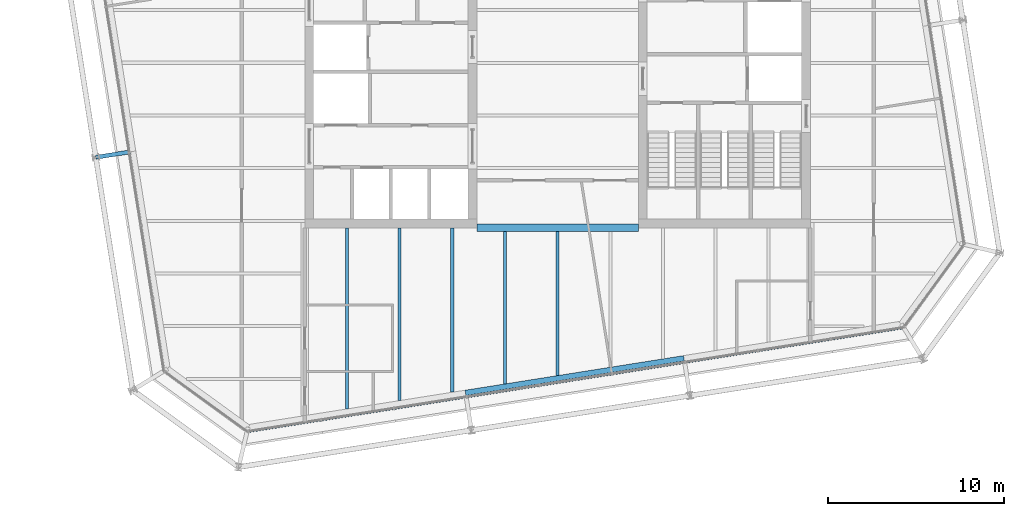
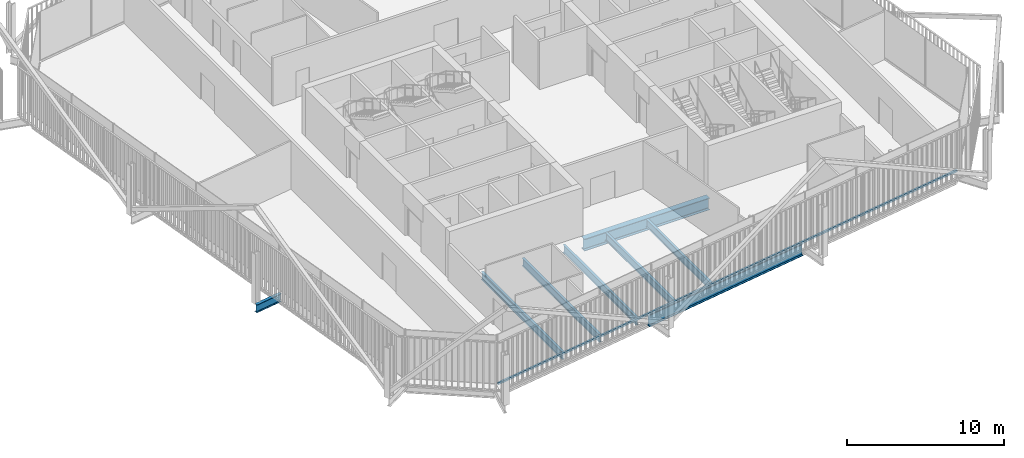
# One storey, part 4 of 21: 8 beams, 1 member, 1 element without a shape of its own.
"""IFC4 building model written with IfcOpenShell, lengths in metres."""

from ifc_helpers import new_model, si_unit, direction, frame, origin, origin_2d, place, context, subcontext, project, spatial, rectangle, i_section, extrude, material, layer, layer_set, material_profile, profile_set, type_object, element, aggregate, save


model = new_model("IFC4")

# Units and contexts
model_context = context("Model", 3, precision=1e-05, world=origin(), true_north=direction((0.0, 1.0)))
body_context = subcontext(model_context, "Body", "Model", "MODEL_VIEW")
ifc_project = project(units=[si_unit("LENGTHUNIT", "METRE"), si_unit("AREAUNIT", "SQUARE_METRE"), si_unit("VOLUMEUNIT", "CUBIC_METRE"), si_unit("PLANEANGLEUNIT", "RADIAN"), si_unit("MASSUNIT", "GRAM", prefix="KILO")], contexts=[model_context])

# Site, building, storey
site_placement = place(None, origin())
site = spatial("IfcSite", under=ifc_project, at=site_placement, CompositionType="ELEMENT")
building_placement = place(site_placement, origin())
building = spatial("IfcBuilding", under=site, at=building_placement, Name="Millrace Tower", CompositionType="ELEMENT")
storey_placement = place(building_placement, frame((0.0, 0.0, 220.300048828125)))
storey = spatial("IfcBuildingStorey", under=building, at=storey_placement, Name="L50", CompositionType="ELEMENT", Elevation=220.300048828125)

# Curtain wall, member
ifc_material_1 = material(Name="Aluminium and glass", Category="aluminium")
ifc_layer = layer(ifc_material_1, 0.14990234375)
ifc_layer_set = layer_set([ifc_layer], Name="Aluminium and glass")
curtain_wall_type = type_object("IfcCurtainWallType", Name="CW-1 office vision curtain wall", PredefinedType="NOTDEFINED", material=ifc_layer_set)
curtain_wall_placement = place(storey_placement, origin())
curtain_wall = element("IfcCurtainWall", 1, at=curtain_wall_placement, inside=storey, type_object=curtain_wall_type, Name="Curtain wall D-F02 L50", PredefinedType="NOTDEFINED")
ifc_material_2 = material(Name="Aluminium", Category="aluminium")
ifc_material_profile_1 = material_profile(ifc_material_2, rectangle(XDim=0.14990234375, YDim=0.139892578125, at=origin_2d()))
ifc_profile_set_1 = profile_set([ifc_material_profile_1], Name="Aluminium")
member_type = type_object("IfcMemberType", Name="CW-1 office vision curtain wall transom", PredefinedType="USERDEFINED", material=ifc_profile_set_1)
member_placement = place(storey_placement, frame((-17.558837890625, -20.98193359375, 0.070068359375), z_axis=(0.987687829698, 0.156437690685, 0.0), x_axis=(-0.156437690685, 0.987687829698, 0.0)))
member = element("IfcMember", 2, at=member_placement, type_object=member_type, Name="CW1 transom D-F02.1", ObjectType="TRANSOM", PredefinedType="USERDEFINED", context=body_context, shape_type="SweptSolid", body=[
    extrude(rectangle(XDim=0.14990234375, YDim=0.139892578125, at=origin_2d()), origin(), (0.0, 0.0, 1.0), 37.60009765625),
])
aggregate(curtain_wall, [member])

# Beams
ifc_material_3 = material(Name="Steel ASTM A992 Grade 50", Category="steel")
ifc_material_profile_2 = material_profile(ifc_material_3, i_section(OverallWidth=0.177978515625, OverallDepth=0.599365234375, WebThickness=0.010009765625, FlangeThickness=0.012939453125, FilletRadius=0.012939453125, at=origin_2d()))
ifc_profile_set_2 = profile_set([ifc_material_profile_2], Name="Steel ASTM A992 Grade 50")
beam_type_1 = type_object("IfcBeamType", Name="Floor beam W24x55", PredefinedType="JOIST", material=ifc_profile_set_2)
beam_1_placement = place(storey_placement, frame((-9.0, -19.2392578125, -0.459716796875), z_axis=(0.0, 1.0, 0.0), x_axis=(-1.0, 0.0, 0.0)))
element("IfcBeam", 3, at=beam_1_placement, inside=storey, type_object=beam_type_1, Name="BM-D-L50-S1-S039", PredefinedType="JOIST", context=body_context, shape_type="SweptSolid", body=[
    extrude(i_section(OverallWidth=0.177978515625, OverallDepth=0.599365234375, WebThickness=0.010009765625, FlangeThickness=0.012939453125, FilletRadius=0.012939453125, at=origin_2d()), origin(), (0.0, 0.0, 1.0), 9.83935546875),
])
beam_2_placement = place(storey_placement, frame((-6.0, -18.763916015625, -0.459716796875), z_axis=(0.0, 1.0, 0.0), x_axis=(-1.0, 0.0, 0.0)))
element("IfcBeam", 4, at=beam_2_placement, inside=storey, type_object=beam_type_1, Name="BM-D-L50-S1-S041", PredefinedType="JOIST", context=body_context, shape_type="SweptSolid", body=[
    extrude(i_section(OverallWidth=0.177978515625, OverallDepth=0.599365234375, WebThickness=0.010009765625, FlangeThickness=0.012939453125, FilletRadius=0.012939453125, at=origin_2d()), origin(), (0.0, 0.0, 1.0), 9.364013671875),
])
beam_3_placement = place(storey_placement, frame((-3.0, -18.288818359375, -0.459716796875), z_axis=(0.0, 1.0, 0.0), x_axis=(-1.0, 0.0, 0.0)))
element("IfcBeam", 5, at=beam_3_placement, inside=storey, type_object=beam_type_1, Name="BM-D-L50-S1-S043", PredefinedType="JOIST", context=body_context, shape_type="SweptSolid", body=[
    extrude(i_section(OverallWidth=0.177978515625, OverallDepth=0.599365234375, WebThickness=0.010009765625, FlangeThickness=0.012939453125, FilletRadius=0.012939453125, at=origin_2d()), origin(), (0.0, 0.0, 1.0), 8.67919921875),
])
beam_4_placement = place(storey_placement, frame((0.0, -17.813720703125, -0.459716796875), z_axis=(0.0, 1.0, 0.0), x_axis=(-1.0, 0.0, 0.0)))
element("IfcBeam", 6, at=beam_4_placement, inside=storey, type_object=beam_type_1, Name="BM-D-L50-S1-S045", PredefinedType="JOIST", context=body_context, shape_type="SweptSolid", body=[
    extrude(i_section(OverallWidth=0.177978515625, OverallDepth=0.599365234375, WebThickness=0.010009765625, FlangeThickness=0.012939453125, FilletRadius=0.012939453125, at=origin_2d()), origin(), (0.0, 0.0, 1.0), 8.2041015625),
])
ifc_material_4 = material(Name="Steel ASTM A992 Grade 50", Category="steel")
ifc_material_profile_3 = material_profile(ifc_material_4, i_section(OverallWidth=0.1787109375, OverallDepth=0.60205078125, WebThickness=0.010986328125, FlangeThickness=0.014892578125, FilletRadius=0.0126953125, at=origin_2d()))
ifc_profile_set_3 = profile_set([ifc_material_profile_3], Name="Steel ASTM A992 Grade 50")
beam_type_2 = type_object("IfcBeamType", Name="Floor beam W24x62", PredefinedType="JOIST", material=ifc_profile_set_3)
beam_5_placement = place(storey_placement, frame((-12.0, -19.71435546875, -0.4609375), z_axis=(0.0, 1.0, 0.0), x_axis=(-1.0, 0.0, 0.0)))
element("IfcBeam", 7, at=beam_5_placement, inside=storey, type_object=beam_type_2, Name="BM-D-L50-S1-S037", PredefinedType="JOIST", context=body_context, shape_type="SweptSolid", body=[
    extrude(i_section(OverallWidth=0.1787109375, OverallDepth=0.60205078125, WebThickness=0.010986328125, FlangeThickness=0.014892578125, FilletRadius=0.0126953125, at=origin_2d()), origin(), (0.0, 0.0, 1.0), 10.314453125),
])
ifc_material_5 = material(Name="Steel ASTM A992 Grade 50", Category="steel")
ifc_material_profile_4 = material_profile(ifc_material_5, i_section(OverallWidth=0.419189453125, OverallDepth=0.927001953125, WebThickness=0.019287109375, FlangeThickness=0.031982421875, FilletRadius=0.024169921875, at=origin_2d()))
ifc_profile_set_4 = profile_set([ifc_material_profile_4], Name="Steel ASTM A992 Grade 50")
beam_type_3 = type_object("IfcBeamType", Name="Girder short span W36x231", PredefinedType="BEAM", material=ifc_profile_set_4)
beam_6_placement = place(storey_placement, frame((-4.60009765625, -9.39990234375, -0.62353515625), z_axis=(1.0, 0.0, 0.0), x_axis=(0.0, 1.0, 0.0)))
element("IfcBeam", 8, at=beam_6_placement, inside=storey, type_object=beam_type_3, Name="BM-D-L50-S1-G059", PredefinedType="BEAM", context=body_context, shape_type="SweptSolid", body=[
    extrude(i_section(OverallWidth=0.419189453125, OverallDepth=0.927001953125, WebThickness=0.019287109375, FlangeThickness=0.031982421875, FilletRadius=0.024169921875, at=origin_2d()), origin(), (0.0, 0.0, 1.0), 9.2001953125),
])
ifc_material_6 = material(Name="Steel ASTM A992 Grade 50", Category="steel")
ifc_material_profile_5 = material_profile(ifc_material_6, i_section(OverallWidth=0.23046875, OverallDepth=0.6171875, WebThickness=0.01318359375, FlangeThickness=0.022216796875, FilletRadius=0.012939453125, at=origin_2d()))
ifc_profile_set_5 = profile_set([ifc_material_profile_5], Name="Steel ASTM A992 Grade 50")
beam_type_4 = type_object("IfcBeamType", Name="Link beam W24x94", PredefinedType="BEAM", material=ifc_profile_set_5)
beam_7_placement = place(storey_placement, frame((-24.331298828125, -5.0703125, -0.46875), z_axis=(-0.987678691416, -0.156495375404, 0.0), x_axis=(0.156495375404, -0.987678691416, 0.0)))
element("IfcBeam", 9, at=beam_7_placement, inside=storey, type_object=beam_type_4, Name="LNK-D-L50-S1-02", PredefinedType="BEAM", context=body_context, shape_type="SweptSolid", body=[
    extrude(i_section(OverallWidth=0.23046875, OverallDepth=0.6171875, WebThickness=0.01318359375, FlangeThickness=0.022216796875, FilletRadius=0.012939453125, at=origin_2d()), origin(), (0.0, 0.0, 1.0), 2.0),
])
ifc_material_7 = material(Name="Steel ASTM A992 Grade 50", Category="steel")
ifc_material_profile_6 = material_profile(ifc_material_7, i_section(OverallWidth=0.307373046875, OverallDepth=0.927001953125, WebThickness=0.01953125, FlangeThickness=0.031982421875, FilletRadius=0.01904296875, at=origin_2d()))
ifc_profile_set_6 = profile_set([ifc_material_profile_6], Name="Steel ASTM A992 Grade 50")
beam_type_5 = type_object("IfcBeamType", Name="Ring beam medium span W36x194", PredefinedType="SPANDREL", material=ifc_profile_set_6)
beam_8_placement = place(storey_placement, frame((7.1962890625, -16.82958984375, -0.62353515625), z_axis=(-0.987689802912, -0.156425232058, 0.0), x_axis=(0.156425232058, -0.987689802912, 0.0)))
element("IfcBeam", 10, at=beam_8_placement, inside=storey, type_object=beam_type_5, Name="RNG-D-L50-S1-14", PredefinedType="SPANDREL", context=body_context, shape_type="SweptSolid", body=[
    extrude(i_section(OverallWidth=0.307373046875, OverallDepth=0.927001953125, WebThickness=0.01953125, FlangeThickness=0.031982421875, FilletRadius=0.01904296875, at=origin_2d()), origin(), (0.0, 0.0, 1.0), 12.599853515625),
])

save(model, "model.ifc")
